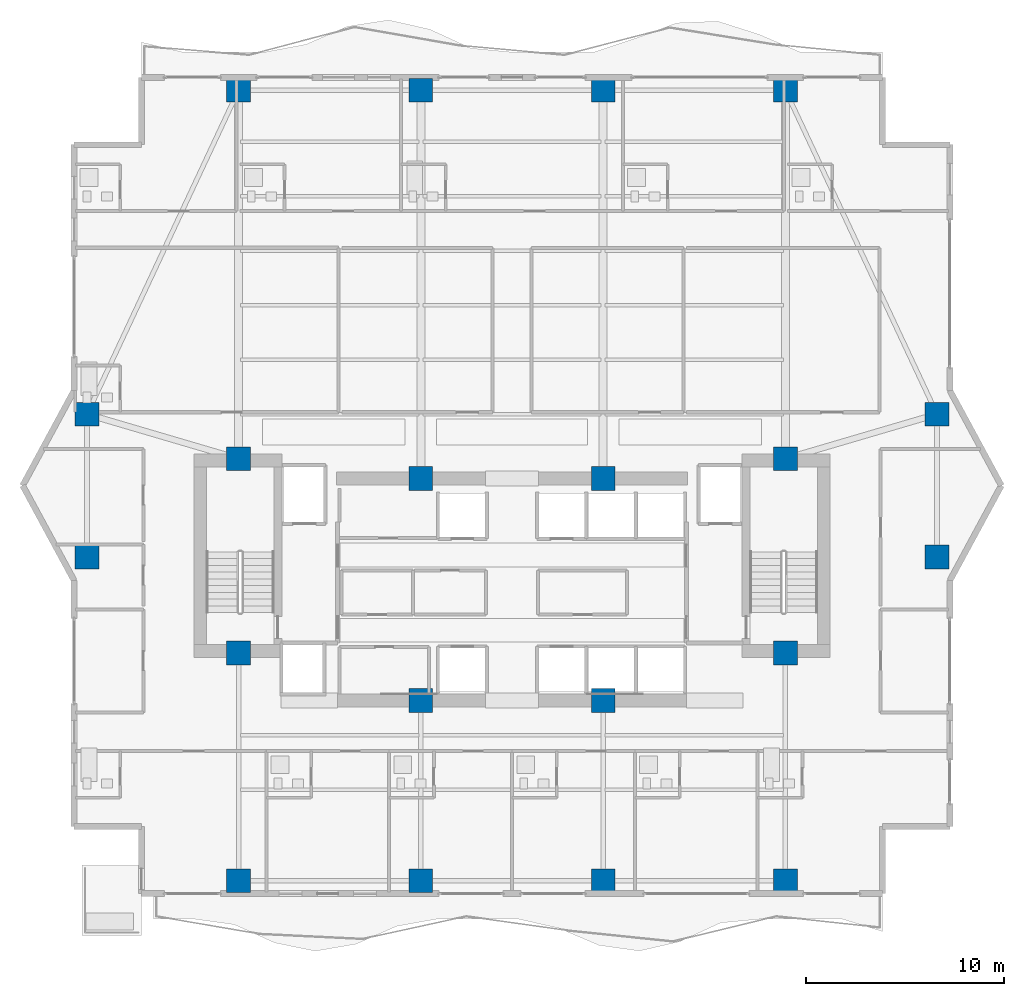
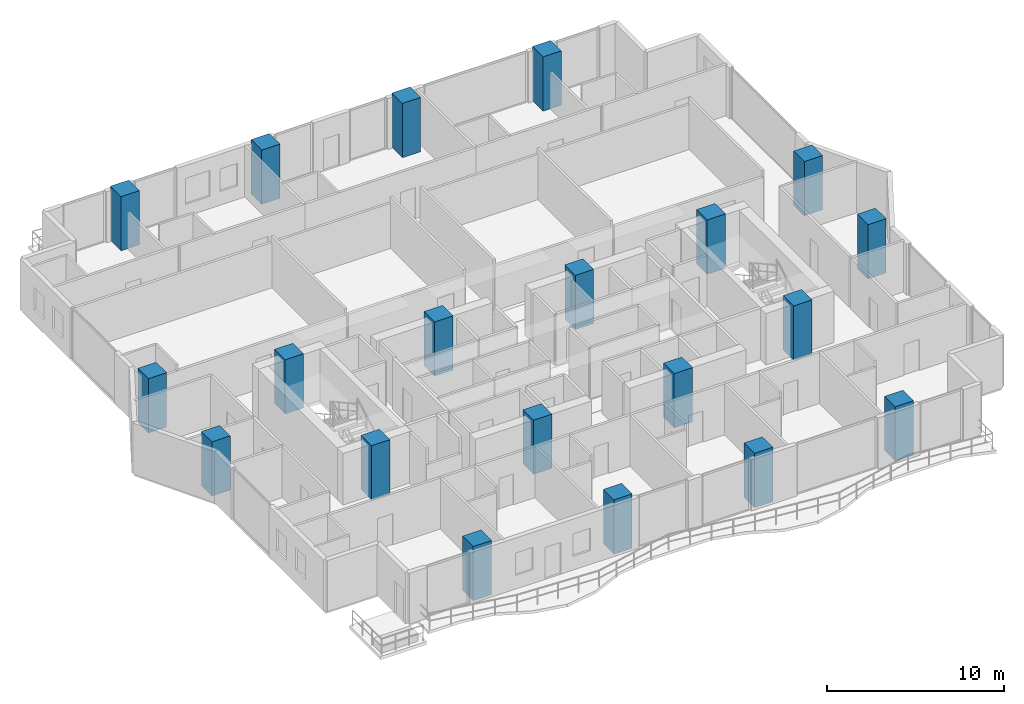
# One storey, part 1 of 32: 20 columns.
"""IFC4 building model written with IfcOpenShell, lengths in metres."""

from ifc_helpers import new_model, si_unit, direction, frame, origin, origin_2d, place, context, subcontext, project, spatial, rectangle, extrude, material, material_profile, profile_set, type_object, element, save


model = new_model("IFC4")

# Units and contexts
model_context = context("Model", 3, precision=1e-05, world=origin(), true_north=direction((0.0, 1.0)))
body_context = subcontext(model_context, "Body", "Model", "MODEL_VIEW")
ifc_project = project(units=[si_unit("LENGTHUNIT", "METRE"), si_unit("AREAUNIT", "SQUARE_METRE"), si_unit("VOLUMEUNIT", "CUBIC_METRE"), si_unit("PLANEANGLEUNIT", "RADIAN"), si_unit("MASSUNIT", "GRAM", prefix="KILO")], contexts=[model_context])

# Site, building, storey
site_placement = place(None, origin())
site = spatial("IfcSite", under=ifc_project, at=site_placement, CompositionType="ELEMENT")
building_placement = place(site_placement, origin())
building = spatial("IfcBuilding", under=site, at=building_placement, Name="Zuhayl Quay Hotel", CompositionType="ELEMENT")
storey_placement = place(building_placement, frame((0.0, 0.0, 188.64990234375)))
storey = spatial("IfcBuildingStorey", under=building, at=storey_placement, Name="L47", CompositionType="ELEMENT", Elevation=188.64990234375)

# Columns
ifc_material = material(Name="Concrete C60/75", Category="concrete")
ifc_material_profile_1 = material_profile(ifc_material, rectangle(XDim=1.199951171875, YDim=1.199951171875, at=origin_2d()), Name="RC1200X1200")
ifc_profile_set_1 = profile_set([ifc_material_profile_1], Name="Concrete C60/75")
column_type_1 = type_object("IfcColumnType", Name="CL_CC2_1200", PredefinedType="COLUMN", material=ifc_profile_set_1)
for number, where, z_axis, x_axis, name in (
    (1, (-13.800048828125, 14.35009765625, 0.0), (0.0, 0.0, 1.0), (1.0, 0.0, 0.0), "L47 Core Column CC_NW"),
    (2, (-4.60009765625, 13.35009765625, 0.0), (0.0, 0.0, 1.0), (1.0, 0.0, 0.0), "L47 Core Column CC_CNW"),
    (3, (4.60009765625, 13.35009765625, 0.0), (0.0, 0.0, 1.0), (1.0, 0.0, 0.0), "L47 Core Column CC_CNE"),
    (4, (13.800048828125, 14.35009765625, 0.0), (0.0, 0.0, 1.0), (1.0, 0.0, 0.0), "L47 Core Column CC_NE"),
    (5, (-13.800048828125, 4.550048828125, 0.0), (0.0, 0.0, 1.0), (1.0, 0.0, 0.0), "L47 Core Column CC_SW"),
    (6, (-4.60009765625, 2.14990234375, 0.0), (0.0, 0.0, 1.0), (1.0, 0.0, 0.0), "L47 Core Column CC_CSW"),
    (7, (4.60009765625, 2.14990234375, 0.0), (0.0, 0.0, 1.0), (1.0, 0.0, 0.0), "L47 Core Column CC_CSE"),
    (8, (13.800048828125, 4.550048828125, 0.0), (0.0, 0.0, 1.0), (1.0, 0.0, 0.0), "L47 Core Column CC_SE"),
):
    element("IfcColumn", number, at=place(storey_placement, frame(where, z_axis=z_axis, x_axis=x_axis)), inside=storey, type_object=column_type_1, Name=name, PredefinedType="COLUMN", context=body_context, shape_type="SweptSolid", body=[
        extrude(rectangle(XDim=1.199951171875, YDim=1.199951171875, at=origin_2d()), origin(), (0.0, 0.0, 1.0), 3.75),
    ])
ifc_material_profile_2 = material_profile(ifc_material, rectangle(XDim=1.199951171875, YDim=1.199951171875, at=origin_2d()), Name="RC1200X1200")
ifc_profile_set_2 = profile_set([ifc_material_profile_2], Name="Concrete C60/75")
column_type_2 = type_object("IfcColumnType", Name="CL_MC3_1200", PredefinedType="COLUMN", material=ifc_profile_set_2)
for number, where, z_axis, x_axis, name in (
    (9, (-13.800048828125, -6.949951171875, 0.0), (0.0, 0.0, 1.0), (1.0, 0.0, 0.0), "L47 Mega-Column MC_S1"),
    (10, (-4.60009765625, -6.949951171875, 0.0), (0.0, 0.0, 1.0), (1.0, 0.0, 0.0), "L47 Mega-Column MC_S2"),
    (11, (4.60009765625, -6.949951171875, 0.0), (0.0, 0.0, 1.0), (1.0, 0.0, 0.0), "L47 Mega-Column MC_S3"),
    (12, (13.800048828125, -6.949951171875, 0.0), (0.0, 0.0, 1.0), (1.0, 0.0, 0.0), "L47 Mega-Column MC_S4"),
    (13, (-13.800048828125, 32.949951171875, 0.0), (0.0, 0.0, 1.0), (1.0, 0.0, 0.0), "L47 Mega-Column MC_N1"),
    (14, (-4.60009765625, 32.949951171875, 0.0), (0.0, 0.0, 1.0), (1.0, 0.0, 0.0), "L47 Mega-Column MC_N2"),
    (15, (4.60009765625, 32.949951171875, 0.0), (0.0, 0.0, 1.0), (1.0, 0.0, 0.0), "L47 Mega-Column MC_N3"),
    (16, (13.800048828125, 32.949951171875, 0.0), (0.0, 0.0, 1.0), (1.0, 0.0, 0.0), "L47 Mega-Column MC_N4"),
    (17, (-21.449951171875, 9.39990234375, 0.0), (0.0, 0.0, 1.0), (1.0, 0.0, 0.0), "L47 Mega-Column MC_W1"),
    (18, (-21.449951171875, 16.60009765625, 0.0), (0.0, 0.0, 1.0), (1.0, 0.0, 0.0), "L47 Mega-Column MC_W2"),
    (19, (21.449951171875, 9.39990234375, 0.0), (0.0, 0.0, 1.0), (1.0, 0.0, 0.0), "L47 Mega-Column MC_E1"),
    (20, (21.449951171875, 16.60009765625, 0.0), (0.0, 0.0, 1.0), (1.0, 0.0, 0.0), "L47 Mega-Column MC_E2"),
):
    element("IfcColumn", number, at=place(storey_placement, frame(where, z_axis=z_axis, x_axis=x_axis)), inside=storey, type_object=column_type_2, Name=name, PredefinedType="COLUMN", context=body_context, shape_type="SweptSolid", body=[
        extrude(rectangle(XDim=1.199951171875, YDim=1.199951171875, at=origin_2d()), origin(), (0.0, 0.0, 1.0), 3.75),
    ])

save(model, "model.ifc")
